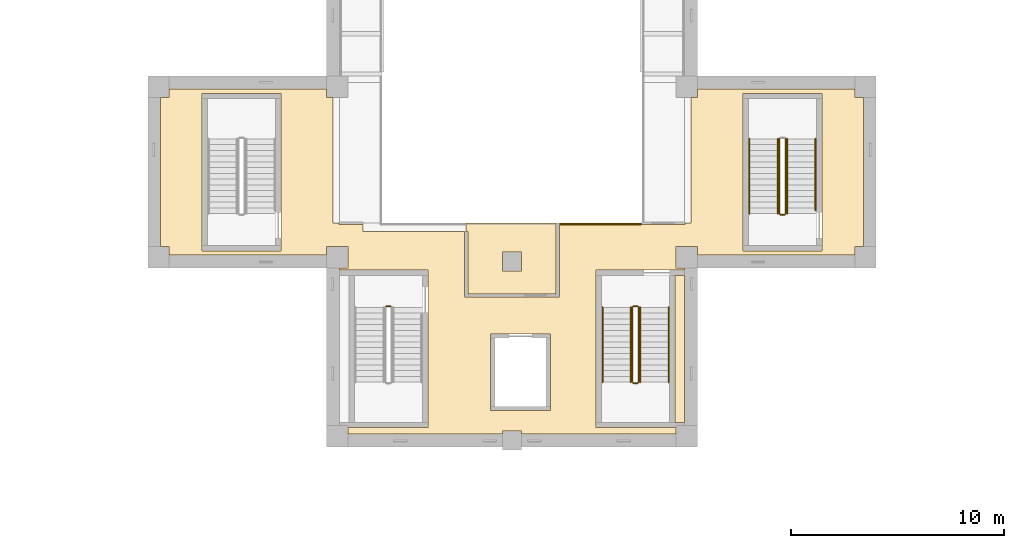
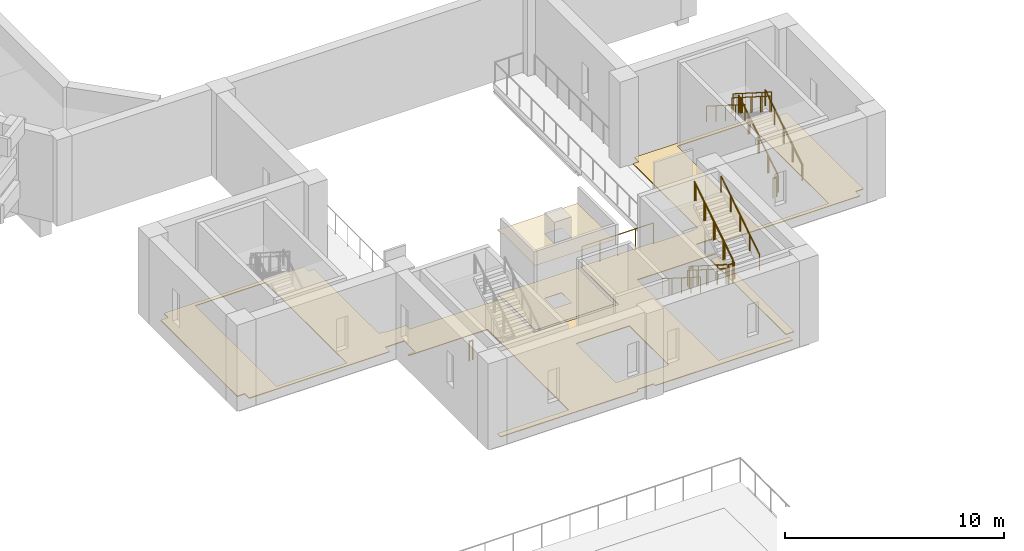
# One storey, part 22 of 37: 17 railings, 4 coverings.
"""IFC4 building model written with IfcOpenShell, lengths in metres."""

from ifc_helpers import new_model, si_unit, direction, frame, origin, origin_2d, place, context, subcontext, project, spatial, polyline, circle, outline, extrude, material, layer, layer_set, type_object, element, save


model = new_model("IFC4")

# Units and contexts
model_context = context("Model", 3, precision=1e-05, world=origin(), true_north=direction((0.0, 1.0)))
body_context = subcontext(model_context, "Body", "Model", "MODEL_VIEW")
ifc_project = project(units=[si_unit("LENGTHUNIT", "METRE"), si_unit("AREAUNIT", "SQUARE_METRE"), si_unit("VOLUMEUNIT", "CUBIC_METRE"), si_unit("PLANEANGLEUNIT", "RADIAN"), si_unit("MASSUNIT", "GRAM", prefix="KILO")], contexts=[model_context])

# Site, building, storey
site_placement = place(None, origin())
site = spatial("IfcSite", under=ifc_project, at=site_placement, CompositionType="ELEMENT")
building_placement = place(site_placement, origin())
building = spatial("IfcBuilding", under=site, at=building_placement, Name="Larchfold Concert Hall", CompositionType="ELEMENT")
storey_placement = place(building_placement, frame((0.0, 0.0, 19.199951171875)))
storey = spatial("IfcBuildingStorey", under=building, at=storey_placement, Name="L04", CompositionType="ELEMENT", Elevation=19.199951171875)

# Coverings
ifc_material_1 = material(Name="Mineral fibre ceiling tile")
ifc_layer_1 = layer(ifc_material_1, 0.02001953125)
ifc_layer_set_1 = layer_set([ifc_layer_1], Name="Mineral fibre ceiling tile")
covering_type_1 = type_object("IfcCoveringType", Name="Ceiling mineral fibre tile 20", PredefinedType="CEILING", material=ifc_layer_set_1)
covering_1_placement = place(storey_placement, frame((0.0, 0.0, 3.60009765625)))
element("IfcCovering", 1, at=covering_1_placement, inside=storey, type_object=covering_type_1, Name="Ceiling Lighting Store", PredefinedType="CEILING", context=body_context, shape_type="SweptSolid", body=[
    extrude(outline(polyline([(40.449462890625, 44.39990234375), (40.449462890625, 44.01904296875), (40.52490234375, 44.01904296875), (40.52490234375, 41.074951171875), (44.675048828125, 41.074951171875), (44.675048828125, 44.39990234375), (40.449462890625, 44.39990234375)]), holes=[polyline([(42.150146484375, 43.050048828125), (43.050048828125, 43.050048828125), (43.050048828125, 42.150146484375), (42.150146484375, 42.150146484375), (42.150146484375, 43.050048828125)])]), origin(), (0.0, 0.0, 1.0), 0.02001953125),
])
ifc_material_2 = material(Name="Polished terrazzo")
ifc_layer_2 = layer(ifc_material_2, 0.0400390625)
ifc_layer_set_2 = layer_set([ifc_layer_2], Name="Polished terrazzo")
covering_type_2 = type_object("IfcCoveringType", Name="Floor finish terrazzo 40", PredefinedType="FLOORING", material=ifc_layer_set_2)
covering_2_placement = place(storey_placement, origin())
element("IfcCovering", 2, at=covering_2_placement, inside=storey, type_object=covering_type_2, Name="Floor finish Fly Gallery Walkway 01", PredefinedType="FLOORING", context=body_context, shape_type="SweptSolid", body=[
    extrude(outline(polyline([(35.60009765625, 44.33740234375), (34.47998046875, 44.33740234375), (34.47998046875, 44.39990234375), (34.199951171875, 44.39990234375), (34.199951171875, 50.300048828125), (33.89990234375, 50.300048828125), (33.89990234375, 50.699951171875), (26.5, 50.699951171875), (26.5, 50.300048828125), (26.10009765625, 50.300048828125), (26.10009765625, 43.300048828125), (26.5, 43.300048828125), (26.5, 42.900146484375), (33.89990234375, 42.900146484375), (33.89990234375, 43.300048828125), (34.89990234375, 43.300048828125), (34.89990234375, 42.300048828125), (34.5, 42.300048828125), (34.5, 42.199951171875), (38.64990234375, 42.199951171875), (38.64990234375, 34.800048828125), (34.89990234375, 34.800048828125), (34.89990234375, 34.5), (42.150146484375, 34.5), (42.150146484375, 34.64990234375), (43.050048828125, 34.64990234375), (43.050048828125, 34.5), (50.300048828125, 34.5), (50.300048828125, 34.800048828125), (46.550048828125, 34.800048828125), (46.550048828125, 42.199951171875), (50.699951171875, 42.199951171875), (50.699951171875, 42.300048828125), (50.300048828125, 42.300048828125), (50.300048828125, 43.300048828125), (51.300048828125, 43.300048828125), (51.300048828125, 42.900146484375), (58.699951171875, 42.900146484375), (58.699951171875, 43.300048828125), (59.099853515625, 43.300048828125), (59.099853515625, 50.300048828125), (58.699951171875, 50.300048828125), (58.699951171875, 50.699951171875), (51.300048828125, 50.699951171875), (51.300048828125, 50.300048828125), (51.0, 50.300048828125), (51.0, 44.39990234375), (50.719970703125, 44.39990234375), (50.719970703125, 44.33740234375), (48.679931640625, 44.33740234375), (48.679931640625, 44.39990234375), (44.824951171875, 44.39990234375), (44.824951171875, 40.925048828125), (40.375, 40.925048828125), (40.375, 43.9990234375), (35.60009765625, 43.99951171875), (35.60009765625, 44.33740234375)]), holes=[polyline([(57.14990234375, 43.10009765625), (53.449951171875, 43.10009765625), (53.449951171875, 50.5), (57.14990234375, 50.5), (57.14990234375, 43.10009765625)]), polyline([(44.39990234375, 39.199951171875), (44.39990234375, 35.60009765625), (41.60009765625, 35.60009765625), (41.60009765625, 39.199951171875), (44.39990234375, 39.199951171875)]), polyline([(31.75, 50.5), (31.75, 43.10009765625), (28.050048828125, 43.10009765625), (28.050048828125, 50.5), (31.75, 50.5)])]), origin(), (0.0, 0.0, 1.0), 0.0400390625),
])
covering_3_placement = place(storey_placement, origin())
element("IfcCovering", 3, at=covering_3_placement, inside=storey, type_object=covering_type_2, Name="Floor finish Fly Gallery Walkway 01", PredefinedType="FLOORING", context=body_context, shape_type="SweptSolid", body=[
    extrude(outline(polyline([(50.25, 35.050048828125), (50.699951171875, 35.050048828125), (50.699951171875, 41.949951171875), (50.25, 41.949951171875), (50.25, 35.050048828125)])), origin(), (0.0, 0.0, 1.0), 0.0400390625),
])
ifc_material_3 = material(Name="Linoleum sheet")
ifc_layer_3 = layer(ifc_material_3, 0.02001953125)
ifc_layer_set_3 = layer_set([ifc_layer_3], Name="Linoleum sheet")
covering_type_3 = type_object("IfcCoveringType", Name="Floor finish vinyl 20", PredefinedType="FLOORING", material=ifc_layer_set_3)
covering_4_placement = place(storey_placement, origin())
element("IfcCovering", 4, at=covering_4_placement, inside=storey, type_object=covering_type_3, Name="Floor finish Lighting Store", PredefinedType="FLOORING", context=body_context, shape_type="SweptSolid", body=[
    extrude(outline(polyline([(40.449462890625, 44.39990234375), (40.449462890625, 44.01904296875), (40.52490234375, 44.01904296875), (40.52490234375, 41.074951171875), (44.675048828125, 41.074951171875), (44.675048828125, 44.39990234375), (40.449462890625, 44.39990234375)]), holes=[polyline([(42.150146484375, 43.050048828125), (43.050048828125, 43.050048828125), (43.050048828125, 42.150146484375), (42.150146484375, 42.150146484375), (42.150146484375, 43.050048828125)])]), origin(), (0.0, 0.0, 1.0), 0.02001953125),
])

# Railings
ifc_material_4 = material(Name="Stainless steel balustrade", Category="steel")
railing_type_1 = type_object("IfcRailingType", Name="Fly tower guard 1200", PredefinedType="GUARDRAIL", material=ifc_material_4)
railing_1_placement = place(storey_placement, frame((44.864990234375, 44.33984375, 0.0)))
element("IfcRailing", 5, at=railing_1_placement, inside=storey, type_object=railing_type_1, Name="Guard GR0070", PredefinedType="GUARDRAIL", context=body_context, shape_type="SweptSolid", body=[
    extrude(circle(Radius=0.02392578125, at=origin_2d()), frame((0.0, 0.0, 1.17578125), z_axis=(1.0, 0.0, 0.0), x_axis=(0.0, 1.0, 0.0)), (0.0, 0.0, 1.0), 3.77490234375),
    extrude(circle(Radius=0.02099609375, at=origin_2d()), origin(), (0.0, 0.0, 1.0), 1.15185546875),
    extrude(circle(Radius=0.02099609375, at=origin_2d()), frame((0.94384765625, 0.0, 0.0)), (0.0, 0.0, 1.0), 1.15185546875),
    extrude(circle(Radius=0.02099609375, at=origin_2d()), frame((1.887451171875, 0.0, 0.0)), (0.0, 0.0, 1.0), 1.15185546875),
    extrude(circle(Radius=0.02099609375, at=origin_2d()), frame((2.8310546875, 0.0, 0.0)), (0.0, 0.0, 1.0), 1.15185546875),
    extrude(circle(Radius=0.02099609375, at=origin_2d()), frame((3.77490234375, 0.0, 0.0)), (0.0, 0.0, 1.0), 1.15185546875),
])
ifc_material_5 = material(Name="Stainless steel balustrade", Category="steel")
railing_type_2 = type_object("IfcRailingType", Name="Stair guard 1100", PredefinedType="GUARDRAIL", material=ifc_material_5)
railing_2_placement = place(storey_placement, frame((55.449951171875, 44.85009765625, 0.17138671875)))
element("IfcRailing", 6, at=railing_2_placement, inside=storey, type_object=railing_type_2, Name="Guard GR0039", PredefinedType="GUARDRAIL", context=body_context, shape_type="SweptSolid", body=[
    extrude(circle(Radius=0.02392578125, at=origin_2d()), frame((0.0, 0.0, 1.076171875), z_axis=(0.0, 0.844192992368, 0.536039356425), x_axis=(-1.0, 0.0, 0.0)), (0.0, 0.0, 1.0), 4.15771484375),
    extrude(circle(Radius=0.02099609375, at=origin_2d()), origin(), (0.0, 0.0, 1.0), 1.052001953125),
    extrude(circle(Radius=0.02099609375, at=origin_2d()), frame((0.0, 0.87744140625, 0.55712890625)), (0.0, 0.0, 1.0), 1.052001953125),
    extrude(circle(Radius=0.02099609375, at=origin_2d()), frame((0.0, 1.7548828125, 1.1142578125)), (0.0, 0.0, 1.0), 1.052001953125),
    extrude(circle(Radius=0.02099609375, at=origin_2d()), frame((0.0, 2.632568359375, 1.671630859375)), (0.0, 0.0, 1.0), 1.052001953125),
    extrude(circle(Radius=0.02099609375, at=origin_2d()), frame((0.0, 3.510009765625, 2.228759765625)), (0.0, 0.0, 1.0), 1.052001953125),
])
railing_3_placement = place(storey_placement, frame((55.14990234375, 48.360107421875, 2.571533203125)))
element("IfcRailing", 7, at=railing_3_placement, inside=storey, type_object=railing_type_2, Name="Guard GR0041", PredefinedType="GUARDRAIL", context=body_context, shape_type="SweptSolid", body=[
    extrude(circle(Radius=0.02392578125, at=origin_2d()), frame((0.0, 0.0, 1.076171875), z_axis=(0.0, -0.844219563411, 0.53599750816), x_axis=(1.0, 0.0, 0.0)), (0.0, 0.0, 1.0), 4.15771484375),
    extrude(circle(Radius=0.02099609375, at=origin_2d()), origin(), (0.0, 0.0, 1.0), 1.052001953125),
    extrude(circle(Radius=0.02099609375, at=origin_2d()), frame((0.0, -0.87744140625, 0.55712890625)), (0.0, 0.0, 1.0), 1.052001953125),
    extrude(circle(Radius=0.02099609375, at=origin_2d()), frame((0.0, -1.7548828125, 1.1142578125)), (0.0, 0.0, 1.0), 1.052001953125),
    extrude(circle(Radius=0.02099609375, at=origin_2d()), frame((0.0, -2.632568359375, 1.67138671875)), (0.0, 0.0, 1.0), 1.052001953125),
    extrude(circle(Radius=0.02099609375, at=origin_2d()), frame((0.0, -3.510009765625, 2.228515625)), (0.0, 0.0, 1.0), 1.052001953125),
])
railing_4_placement = place(storey_placement, frame((55.39990234375, 44.800048828125, 0.0)))
element("IfcRailing", 8, at=railing_4_placement, inside=storey, type_object=railing_type_2, Name="Guard GR0042", PredefinedType="GUARDRAIL", context=body_context, shape_type="SweptSolid", body=[
    extrude(circle(Radius=0.02392578125, at=origin_2d()), frame((0.0, 0.0, 1.076171875), z_axis=(-1.0, 0.0, 0.0), x_axis=(0.0, -1.0, 0.0)), (0.0, 0.0, 1.0), 0.199951171875),
    extrude(circle(Radius=0.02099609375, at=origin_2d()), origin(), (0.0, 0.0, 1.0), 1.052001953125),
    extrude(circle(Radius=0.02099609375, at=origin_2d()), frame((-0.199951171875, 0.0, 0.0)), (0.0, 0.0, 1.0), 1.052001953125),
])
railing_5_placement = place(storey_placement, frame((36.699951171875, 40.5, 0.0)))
element("IfcRailing", 9, at=railing_5_placement, inside=storey, type_object=railing_type_2, Name="Guard GR0046", PredefinedType="GUARDRAIL", context=body_context, shape_type="SweptSolid", body=[
    extrude(circle(Radius=0.02392578125, at=origin_2d()), frame((0.0, 0.0, 1.076171875), z_axis=(1.0, 0.0, 0.0), x_axis=(0.0, 1.0, 0.0)), (0.0, 0.0, 1.0), 0.199951171875),
    extrude(circle(Radius=0.02099609375, at=origin_2d()), origin(), (0.0, 0.0, 1.0), 1.052001953125),
    extrude(circle(Radius=0.02099609375, at=origin_2d()), frame((0.199951171875, 0.0, 0.0)), (0.0, 0.0, 1.0), 1.052001953125),
])
railing_6_placement = place(storey_placement, frame((48.25, 40.449951171875, 0.17138671875)))
element("IfcRailing", 10, at=railing_6_placement, inside=storey, type_object=railing_type_2, Name="Guard GR0047", PredefinedType="GUARDRAIL", context=body_context, shape_type="SweptSolid", body=[
    extrude(circle(Radius=0.02392578125, at=origin_2d()), frame((0.0, 0.0, 1.076171875), z_axis=(0.0, -0.844192992368, 0.536039356425), x_axis=(1.0, 0.0, 0.0)), (0.0, 0.0, 1.0), 4.15771484375),
    extrude(circle(Radius=0.02099609375, at=origin_2d()), origin(), (0.0, 0.0, 1.0), 1.052001953125),
    extrude(circle(Radius=0.02099609375, at=origin_2d()), frame((0.0, -0.87744140625, 0.55712890625)), (0.0, 0.0, 1.0), 1.052001953125),
    extrude(circle(Radius=0.02099609375, at=origin_2d()), frame((0.0, -1.7548828125, 1.1142578125)), (0.0, 0.0, 1.0), 1.052001953125),
    extrude(circle(Radius=0.02099609375, at=origin_2d()), frame((0.0, -2.632568359375, 1.671630859375)), (0.0, 0.0, 1.0), 1.052001953125),
    extrude(circle(Radius=0.02099609375, at=origin_2d()), frame((0.0, -3.510009765625, 2.228759765625)), (0.0, 0.0, 1.0), 1.052001953125),
])
railing_7_placement = place(storey_placement, frame((48.300048828125, 36.889892578125, 2.400146484375)))
element("IfcRailing", 11, at=railing_7_placement, inside=storey, type_object=railing_type_2, Name="Guard GR0048", PredefinedType="GUARDRAIL", context=body_context, shape_type="SweptSolid", body=[
    extrude(circle(Radius=0.02392578125, at=origin_2d()), frame((0.0, 0.0, 1.076171875), z_axis=(1.0, 0.0, 0.0), x_axis=(0.0, 1.0, 0.0)), (0.0, 0.0, 1.0), 0.199951171875),
    extrude(circle(Radius=0.02099609375, at=origin_2d()), origin(), (0.0, 0.0, 1.0), 1.052001953125),
    extrude(circle(Radius=0.02099609375, at=origin_2d()), frame((0.199951171875, 0.0, 0.0)), (0.0, 0.0, 1.0), 1.052001953125),
])
railing_8_placement = place(storey_placement, frame((48.550048828125, 36.93994140625, 2.571533203125)))
element("IfcRailing", 12, at=railing_8_placement, inside=storey, type_object=railing_type_2, Name="Guard GR0049", PredefinedType="GUARDRAIL", context=body_context, shape_type="SweptSolid", body=[
    extrude(circle(Radius=0.02392578125, at=origin_2d()), frame((0.0, 0.0, 1.076171875), z_axis=(0.0, 0.844219563411, 0.53599750816), x_axis=(-1.0, 0.0, 0.0)), (0.0, 0.0, 1.0), 4.15771484375),
    extrude(circle(Radius=0.02099609375, at=origin_2d()), origin(), (0.0, 0.0, 1.0), 1.052001953125),
    extrude(circle(Radius=0.02099609375, at=origin_2d()), frame((0.0, 0.87744140625, 0.55712890625)), (0.0, 0.0, 1.0), 1.052001953125),
    extrude(circle(Radius=0.02099609375, at=origin_2d()), frame((0.0, 1.7548828125, 1.1142578125)), (0.0, 0.0, 1.0), 1.052001953125),
    extrude(circle(Radius=0.02099609375, at=origin_2d()), frame((0.0, 2.632568359375, 1.67138671875)), (0.0, 0.0, 1.0), 1.052001953125),
    extrude(circle(Radius=0.02099609375, at=origin_2d()), frame((0.0, 3.510009765625, 2.228515625)), (0.0, 0.0, 1.0), 1.052001953125),
])
railing_9_placement = place(storey_placement, frame((48.300048828125, 40.5, 0.0)))
element("IfcRailing", 13, at=railing_9_placement, inside=storey, type_object=railing_type_2, Name="Guard GR0050", PredefinedType="GUARDRAIL", context=body_context, shape_type="SweptSolid", body=[
    extrude(circle(Radius=0.02392578125, at=origin_2d()), frame((0.0, 0.0, 1.076171875), z_axis=(1.0, 0.0, 0.0), x_axis=(0.0, 1.0, 0.0)), (0.0, 0.0, 1.0), 0.199951171875),
    extrude(circle(Radius=0.02099609375, at=origin_2d()), origin(), (0.0, 0.0, 1.0), 1.052001953125),
    extrude(circle(Radius=0.02099609375, at=origin_2d()), frame((0.199951171875, 0.0, 0.0)), (0.0, 0.0, 1.0), 1.052001953125),
])
ifc_material_6 = material(Name="Stainless steel handrail", Category="steel")
railing_type_3 = type_object("IfcRailingType", Name="Stair handrail 900", PredefinedType="HANDRAIL", material=ifc_material_6)
railing_10_placement = place(storey_placement, frame((56.849853515625, 45.000244140625, 0.266845703125)))
element("IfcRailing", 14, at=railing_10_placement, inside=storey, type_object=railing_type_3, Name="Handrail HR0037", PredefinedType="HANDRAIL", context=body_context, shape_type="SweptSolid", body=[
    extrude(circle(Radius=0.02392578125, at=origin_2d()), frame((0.0, 0.0, 0.8759765625), z_axis=(0.0, 0.844206646714, 0.536017851983), x_axis=(-1.0, 0.0, 0.0)), (0.0, 0.0, 1.0), 3.97998046875),
    extrude(circle(Radius=0.02099609375, at=origin_2d()), origin(), (0.0, 0.0, 1.0), 0.851806640625),
    extrude(circle(Radius=0.02099609375, at=origin_2d()), frame((0.0, 0.83984375, 0.533203125)), (0.0, 0.0, 1.0), 0.851806640625),
    extrude(circle(Radius=0.02099609375, at=origin_2d()), frame((0.0, 1.679931640625, 1.066650390625)), (0.0, 0.0, 1.0), 0.851806640625),
    extrude(circle(Radius=0.02099609375, at=origin_2d()), frame((0.0, 2.52001953125, 1.60009765625)), (0.0, 0.0, 1.0), 0.851806640625),
    extrude(circle(Radius=0.02099609375, at=origin_2d()), frame((0.0, 3.35986328125, 2.13330078125)), (0.0, 0.0, 1.0), 0.851806640625),
])
railing_11_placement = place(storey_placement, frame((53.75, 48.360107421875, 2.571533203125)))
element("IfcRailing", 15, at=railing_11_placement, inside=storey, type_object=railing_type_3, Name="Handrail HR0038", PredefinedType="HANDRAIL", context=body_context, shape_type="SweptSolid", body=[
    extrude(circle(Radius=0.02392578125, at=origin_2d()), frame((0.0, 0.0, 0.8759765625), z_axis=(0.0, -0.844219563411, 0.53599750816), x_axis=(1.0, 0.0, 0.0)), (0.0, 0.0, 1.0), 4.15771484375),
    extrude(circle(Radius=0.02099609375, at=origin_2d()), origin(), (0.0, 0.0, 1.0), 0.851806640625),
    extrude(circle(Radius=0.02099609375, at=origin_2d()), frame((0.0, -0.87744140625, 0.55712890625)), (0.0, 0.0, 1.0), 0.851806640625),
    extrude(circle(Radius=0.02099609375, at=origin_2d()), frame((0.0, -1.7548828125, 1.1142578125)), (0.0, 0.0, 1.0), 0.851806640625),
    extrude(circle(Radius=0.02099609375, at=origin_2d()), frame((0.0, -2.632568359375, 1.67138671875)), (0.0, 0.0, 1.0), 0.851806640625),
    extrude(circle(Radius=0.02099609375, at=origin_2d()), frame((0.0, -3.510009765625, 2.228515625)), (0.0, 0.0, 1.0), 0.851806640625),
])
railing_12_placement = place(storey_placement, frame((55.52001953125, 44.85009765625, 0.17138671875)))
element("IfcRailing", 16, at=railing_12_placement, inside=storey, type_object=railing_type_3, Name="Handrail HR0039", PredefinedType="HANDRAIL", context=body_context, shape_type="SweptSolid", body=[
    extrude(circle(Radius=0.02392578125, at=origin_2d()), frame((0.0, 0.0, 0.8759765625), z_axis=(0.0, 0.844192992368, 0.536039356425), x_axis=(-1.0, 0.0, 0.0)), (0.0, 0.0, 1.0), 4.15771484375),
    extrude(circle(Radius=0.02099609375, at=origin_2d()), origin(), (0.0, 0.0, 1.0), 0.851806640625),
    extrude(circle(Radius=0.02099609375, at=origin_2d()), frame((0.0, 0.87744140625, 0.55712890625)), (0.0, 0.0, 1.0), 0.851806640625),
    extrude(circle(Radius=0.02099609375, at=origin_2d()), frame((0.0, 1.7548828125, 1.1142578125)), (0.0, 0.0, 1.0), 0.851806640625),
    extrude(circle(Radius=0.02099609375, at=origin_2d()), frame((0.0, 2.632568359375, 1.671630859375)), (0.0, 0.0, 1.0), 0.851806640625),
    extrude(circle(Radius=0.02099609375, at=origin_2d()), frame((0.0, 3.510009765625, 2.228759765625)), (0.0, 0.0, 1.0), 0.851806640625),
])
railing_13_placement = place(storey_placement, frame((55.079833984375, 48.360107421875, 2.571533203125)))
element("IfcRailing", 17, at=railing_13_placement, inside=storey, type_object=railing_type_3, Name="Handrail HR0040", PredefinedType="HANDRAIL", context=body_context, shape_type="SweptSolid", body=[
    extrude(circle(Radius=0.02392578125, at=origin_2d()), frame((0.0, 0.0, 0.8759765625), z_axis=(0.0, -0.844219563411, 0.53599750816), x_axis=(1.0, 0.0, 0.0)), (0.0, 0.0, 1.0), 4.15771484375),
    extrude(circle(Radius=0.02099609375, at=origin_2d()), origin(), (0.0, 0.0, 1.0), 0.851806640625),
    extrude(circle(Radius=0.02099609375, at=origin_2d()), frame((0.0, -0.87744140625, 0.55712890625)), (0.0, 0.0, 1.0), 0.851806640625),
    extrude(circle(Radius=0.02099609375, at=origin_2d()), frame((0.0, -1.7548828125, 1.1142578125)), (0.0, 0.0, 1.0), 0.851806640625),
    extrude(circle(Radius=0.02099609375, at=origin_2d()), frame((0.0, -2.632568359375, 1.67138671875)), (0.0, 0.0, 1.0), 0.851806640625),
    extrude(circle(Radius=0.02099609375, at=origin_2d()), frame((0.0, -3.510009765625, 2.228515625)), (0.0, 0.0, 1.0), 0.851806640625),
])
railing_14_placement = place(storey_placement, frame((46.85009765625, 40.449951171875, 0.17138671875)))
element("IfcRailing", 18, at=railing_14_placement, inside=storey, type_object=railing_type_3, Name="Handrail HR0045", PredefinedType="HANDRAIL", context=body_context, shape_type="SweptSolid", body=[
    extrude(circle(Radius=0.02392578125, at=origin_2d()), frame((0.0, 0.0, 0.8759765625), z_axis=(0.0, -0.844192992368, 0.536039356425), x_axis=(1.0, 0.0, 0.0)), (0.0, 0.0, 1.0), 4.15771484375),
    extrude(circle(Radius=0.02099609375, at=origin_2d()), origin(), (0.0, 0.0, 1.0), 0.851806640625),
    extrude(circle(Radius=0.02099609375, at=origin_2d()), frame((0.0, -0.87744140625, 0.55712890625)), (0.0, 0.0, 1.0), 0.851806640625),
    extrude(circle(Radius=0.02099609375, at=origin_2d()), frame((0.0, -1.7548828125, 1.1142578125)), (0.0, 0.0, 1.0), 0.851806640625),
    extrude(circle(Radius=0.02099609375, at=origin_2d()), frame((0.0, -2.632568359375, 1.671630859375)), (0.0, 0.0, 1.0), 0.851806640625),
    extrude(circle(Radius=0.02099609375, at=origin_2d()), frame((0.0, -3.510009765625, 2.228759765625)), (0.0, 0.0, 1.0), 0.851806640625),
])
railing_15_placement = place(storey_placement, frame((49.949951171875, 36.93994140625, 2.571533203125)))
element("IfcRailing", 19, at=railing_15_placement, inside=storey, type_object=railing_type_3, Name="Handrail HR0046", PredefinedType="HANDRAIL", context=body_context, shape_type="SweptSolid", body=[
    extrude(circle(Radius=0.02392578125, at=origin_2d()), frame((0.0, 0.0, 0.8759765625), z_axis=(0.0, 0.844219563411, 0.53599750816), x_axis=(-1.0, 0.0, 0.0)), (0.0, 0.0, 1.0), 4.15771484375),
    extrude(circle(Radius=0.02099609375, at=origin_2d()), origin(), (0.0, 0.0, 1.0), 0.851806640625),
    extrude(circle(Radius=0.02099609375, at=origin_2d()), frame((0.0, 0.87744140625, 0.55712890625)), (0.0, 0.0, 1.0), 0.851806640625),
    extrude(circle(Radius=0.02099609375, at=origin_2d()), frame((0.0, 1.7548828125, 1.1142578125)), (0.0, 0.0, 1.0), 0.851806640625),
    extrude(circle(Radius=0.02099609375, at=origin_2d()), frame((0.0, 2.632568359375, 1.67138671875)), (0.0, 0.0, 1.0), 0.851806640625),
    extrude(circle(Radius=0.02099609375, at=origin_2d()), frame((0.0, 3.510009765625, 2.228515625)), (0.0, 0.0, 1.0), 0.851806640625),
])
railing_16_placement = place(storey_placement, frame((48.179931640625, 40.449951171875, 0.17138671875)))
element("IfcRailing", 20, at=railing_16_placement, inside=storey, type_object=railing_type_3, Name="Handrail HR0047", PredefinedType="HANDRAIL", context=body_context, shape_type="SweptSolid", body=[
    extrude(circle(Radius=0.02392578125, at=origin_2d()), frame((0.0, 0.0, 0.8759765625), z_axis=(0.0, -0.844192992368, 0.536039356425), x_axis=(1.0, 0.0, 0.0)), (0.0, 0.0, 1.0), 4.15771484375),
    extrude(circle(Radius=0.02099609375, at=origin_2d()), origin(), (0.0, 0.0, 1.0), 0.851806640625),
    extrude(circle(Radius=0.02099609375, at=origin_2d()), frame((0.0, -0.87744140625, 0.55712890625)), (0.0, 0.0, 1.0), 0.851806640625),
    extrude(circle(Radius=0.02099609375, at=origin_2d()), frame((0.0, -1.7548828125, 1.1142578125)), (0.0, 0.0, 1.0), 0.851806640625),
    extrude(circle(Radius=0.02099609375, at=origin_2d()), frame((0.0, -2.632568359375, 1.671630859375)), (0.0, 0.0, 1.0), 0.851806640625),
    extrude(circle(Radius=0.02099609375, at=origin_2d()), frame((0.0, -3.510009765625, 2.228759765625)), (0.0, 0.0, 1.0), 0.851806640625),
])
railing_17_placement = place(storey_placement, frame((48.6201171875, 36.93994140625, 2.571533203125)))
element("IfcRailing", 21, at=railing_17_placement, inside=storey, type_object=railing_type_3, Name="Handrail HR0048", PredefinedType="HANDRAIL", context=body_context, shape_type="SweptSolid", body=[
    extrude(circle(Radius=0.02392578125, at=origin_2d()), frame((0.0, 0.0, 0.8759765625), z_axis=(0.0, 0.844219563411, 0.53599750816), x_axis=(-1.0, 0.0, 0.0)), (0.0, 0.0, 1.0), 4.15771484375),
    extrude(circle(Radius=0.02099609375, at=origin_2d()), origin(), (0.0, 0.0, 1.0), 0.851806640625),
    extrude(circle(Radius=0.02099609375, at=origin_2d()), frame((0.0, 0.87744140625, 0.55712890625)), (0.0, 0.0, 1.0), 0.851806640625),
    extrude(circle(Radius=0.02099609375, at=origin_2d()), frame((0.0, 1.7548828125, 1.1142578125)), (0.0, 0.0, 1.0), 0.851806640625),
    extrude(circle(Radius=0.02099609375, at=origin_2d()), frame((0.0, 2.632568359375, 1.67138671875)), (0.0, 0.0, 1.0), 0.851806640625),
    extrude(circle(Radius=0.02099609375, at=origin_2d()), frame((0.0, 3.510009765625, 2.228515625)), (0.0, 0.0, 1.0), 0.851806640625),
])

save(model, "model.ifc")
